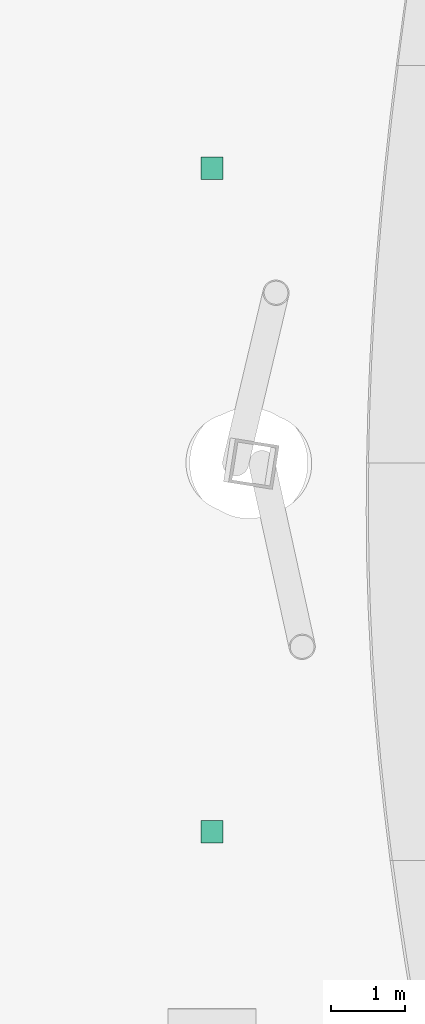
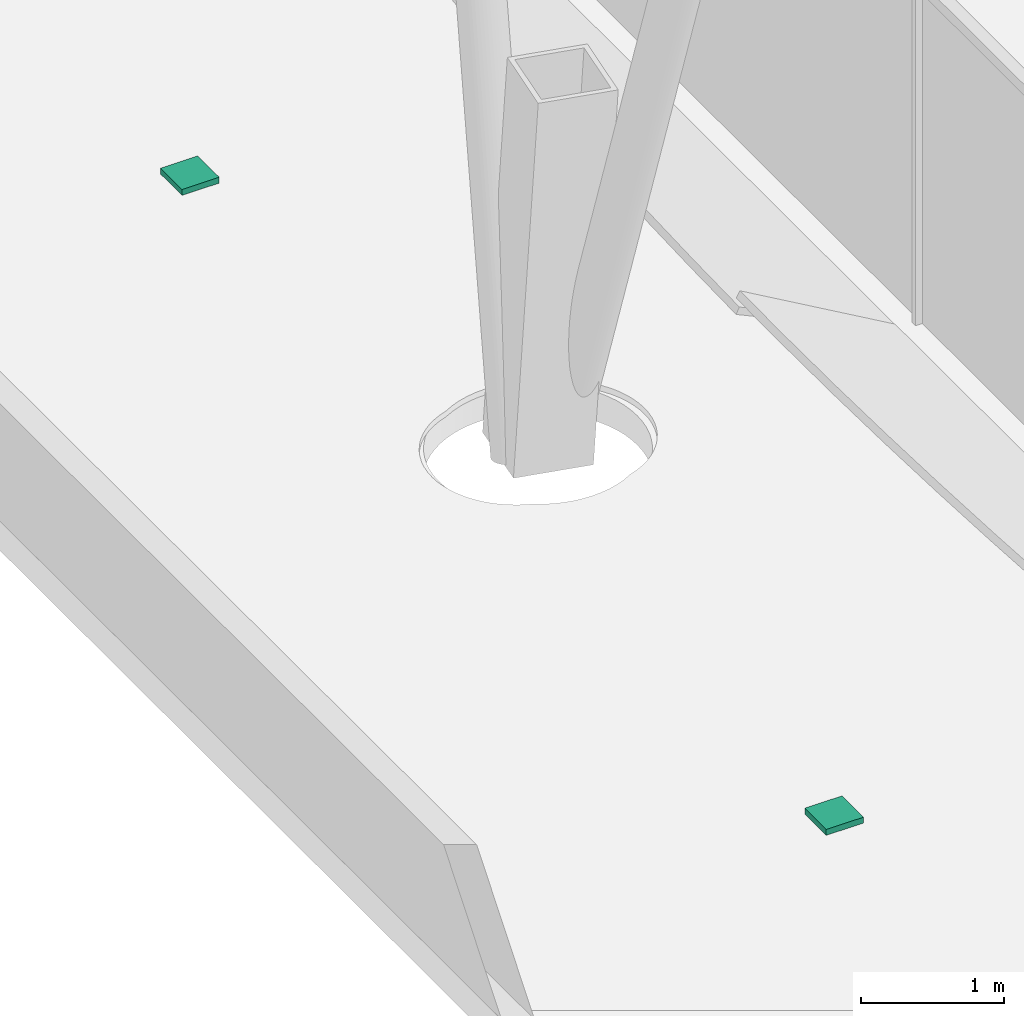
# One storey, part 17 of 17: 2 waste terminals.
"""IFC4 building model written with IfcOpenShell, lengths in metres."""

from ifc_helpers import new_model, si_unit, direction, frame, origin, origin_2d, place, context, subcontext, project, spatial, rectangle, extrude, material, type_object, element, save


model = new_model("IFC4")

# Units and contexts
model_context = context("Model", 3, precision=1e-05, world=origin(), true_north=direction((0.0, 1.0)))
body_context = subcontext(model_context, "Body", "Model", "MODEL_VIEW")
ifc_project = project(units=[si_unit("LENGTHUNIT", "METRE"), si_unit("AREAUNIT", "SQUARE_METRE"), si_unit("VOLUMEUNIT", "CUBIC_METRE"), si_unit("PLANEANGLEUNIT", "RADIAN"), si_unit("MASSUNIT", "GRAM", prefix="KILO")], contexts=[model_context])

# Site, building, storey
site_placement = place(None, origin())
site = spatial("IfcSite", under=ifc_project, at=site_placement, CompositionType="ELEMENT")
building_placement = place(site_placement, origin())
building = spatial("IfcBuilding", under=site, at=building_placement, Name="Tskaro Facet Tower", CompositionType="ELEMENT")
storey_placement = place(building_placement, frame((0.0, 0.0, 259.5)))
storey = spatial("IfcBuildingStorey", under=building, at=storey_placement, Name="L68", CompositionType="ELEMENT", Elevation=259.5)

# Waste terminals
ifc_material = material(Name="Cast aluminium EN AC-42100", Category="aluminium")
waste_terminal_type = type_object("IfcWasteTerminalType", Name="Roof drain", PredefinedType="ROOFDRAIN", material=ifc_material)
for number, where, z_axis, x_axis, name in (
    (1, (-17.39111328125, -7.39111328125, 0.0498046875), (0.0, 0.0, 1.0), (1.0, 0.0, 0.0), "Roof drain L68 1.1"),
    (2, (-17.39111328125, 1.60888671875, 0.0498046875), (0.0, 0.0, 1.0), (1.0, 0.0, 0.0), "Roof drain L68 1.2"),
):
    element("IfcWasteTerminal", number, at=place(storey_placement, frame(where, z_axis=z_axis, x_axis=x_axis)), inside=storey, type_object=waste_terminal_type, Name=name, PredefinedType="ROOFDRAIN", context=body_context, shape_type="SweptSolid", body=[
        extrude(rectangle(XDim=0.300048828125, YDim=0.300048828125, at=origin_2d()), origin(), (0.0, 0.0, 1.0), 0.050048828125),
    ])

save(model, "model.ifc")
